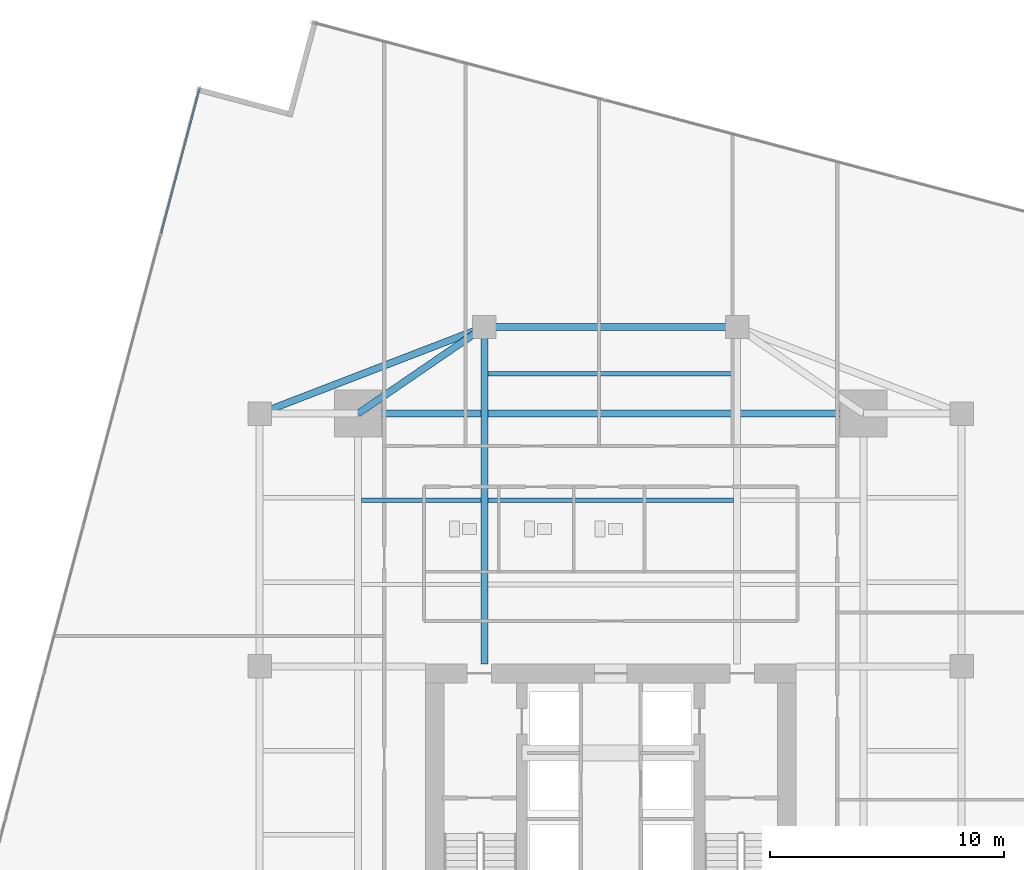
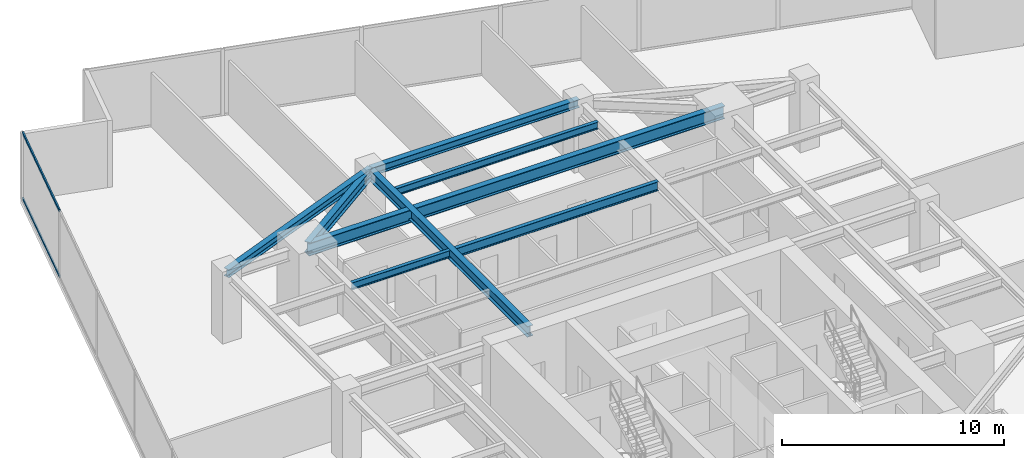
# One storey, part 16 of 27: 8 beams, 2 members, 1 element without a shape of its own.
"""IFC4 building model written with IfcOpenShell, lengths in metres."""

from ifc_helpers import new_model, si_unit, direction, frame, origin, origin_2d, place, context, subcontext, project, spatial, hollow_rectangle, i_section, extrude, source, transform, mapped, material, material_profile, profile_set, type_object, type_shapes, element, aggregate, save


model = new_model("IFC4")

# Units and contexts
model_context = context("Model", 3, precision=1e-05, world=origin(), true_north=direction((0.0, 1.0)))
body_context = subcontext(model_context, "Body", "Model", "MODEL_VIEW")
ifc_project = project(units=[si_unit("LENGTHUNIT", "METRE"), si_unit("AREAUNIT", "SQUARE_METRE"), si_unit("VOLUMEUNIT", "CUBIC_METRE"), si_unit("PLANEANGLEUNIT", "RADIAN"), si_unit("MASSUNIT", "GRAM", prefix="KILO")], contexts=[model_context])

# Site, building, storey
site_placement = place(None, origin())
site = spatial("IfcSite", under=ifc_project, at=site_placement, CompositionType="ELEMENT")
building_placement = place(site_placement, origin())
building = spatial("IfcBuilding", under=site, at=building_placement, Name="Krantzveldt Concourse Tower", CompositionType="ELEMENT")
storey_placement = place(building_placement, frame((0.0, 0.0, 101.89990234375)))
storey = spatial("IfcBuildingStorey", under=building, at=storey_placement, Name="L24", CompositionType="ELEMENT", Elevation=101.89990234375)

# Beams
ifc_material_1 = material(Name="Steel S355J2", Category="steel")
ifc_material_profile_1 = material_profile(ifc_material_1, i_section(OverallWidth=0.300048828125, OverallDepth=0.699951171875, WebThickness=0.01708984375, FlangeThickness=0.031982421875, FilletRadius=0.027099609375, at=origin_2d()), Name="Steel S355J2", Category="steel")
ifc_profile_set_1 = profile_set([ifc_material_profile_1], Name="Steel S355J2 - HEB 700")
beam_type_1 = type_object("IfcBeamType", Name="BM-B-HEB700", PredefinedType="BEAM", material=ifc_profile_set_1)
shared_shape_1 = source(origin(), body_context, "Body", "SweptSolid", [
    extrude(i_section(OverallWidth=0.300048828125, OverallDepth=0.699951171875, WebThickness=0.01708984375, FlangeThickness=0.031982421875, FilletRadius=0.027099609375, at=origin_2d()), origin(), (0.0, 0.0, 1.0), 21.60009765625),
])
type_shapes(beam_type_1, [shared_shape_1])
beam_1_placement = place(storey_placement, frame((25.199951171875, 37.5, 3.320068359375), z_axis=(1.0, 0.0, 0.0), x_axis=(0.0, 1.0, 0.0)))
element("IfcBeam", 1, at=beam_1_placement, inside=storey, type_object=beam_type_1, Name="L24 Tower Girder BG-MN", PredefinedType="BEAM", context=body_context, shape_type="MappedRepresentation", body=[
    mapped(shared_shape_1, transform((0.0, 0.0, 0.0), x_axis=(1.0, 0.0, 0.0), y_axis=(0.0, 1.0, 0.0), z_axis=(0.0, 0.0, 1.0), scale=1.0)),
])
ifc_material_2 = material(Name="Steel S355JR", Category="steel")
ifc_material_profile_2 = material_profile(ifc_material_2, i_section(OverallWidth=0.300048828125, OverallDepth=0.590087890625, WebThickness=0.012939453125, FlangeThickness=0.02490234375, FilletRadius=0.027099609375, at=origin_2d()), Name="Steel S355JR", Category="steel")
ifc_profile_set_2 = profile_set([ifc_material_profile_2], Name="Steel S355JR - HEA 600")
beam_type_2 = type_object("IfcBeamType", Name="BM-B-HEA600", PredefinedType="BEAM", material=ifc_profile_set_2)
shared_shape_2 = source(origin(), body_context, "Body", "SweptSolid", [
    extrude(i_section(OverallWidth=0.300048828125, OverallDepth=0.590087890625, WebThickness=0.012939453125, FlangeThickness=0.02490234375, FilletRadius=0.027099609375, at=origin_2d()), origin(), (0.0, 0.0, 1.0), 14.39990234375),
])
beam_2_placement = place(storey_placement, frame((30.60009765625, 26.800048828125, 3.375), z_axis=(0.0, 1.0, 0.0), x_axis=(-1.0, 0.0, 0.0)))
element("IfcBeam", 2, at=beam_2_placement, inside=storey, type_object=beam_type_2, Name="L24 Tower Girder BG-CNW", PredefinedType="BEAM", context=body_context, shape_type="MappedRepresentation", body=[
    mapped(shared_shape_2, transform((0.0, 0.0, 0.0), x_axis=(1.0, 0.0, 0.0), y_axis=(0.0, 1.0, 0.0), z_axis=(0.0, 0.0, 1.0), scale=1.0)),
])
ifc_material_profile_3 = material_profile(ifc_material_2, i_section(OverallWidth=0.300048828125, OverallDepth=0.43994140625, WebThickness=0.011474609375, FlangeThickness=0.02099609375, FilletRadius=0.027099609375, at=origin_2d()), Name="Steel S355JR", Category="steel")
ifc_profile_set_3 = profile_set([ifc_material_profile_3], Name="Steel S355JR - HEA 450")
beam_type_3 = type_object("IfcBeamType", Name="BM-SP-HEA450", PredefinedType="SPANDREL", material=ifc_profile_set_3)
shared_shape_3 = source(origin(), body_context, "Body", "SweptSolid", [
    extrude(i_section(OverallWidth=0.300048828125, OverallDepth=0.43994140625, WebThickness=0.011474609375, FlangeThickness=0.02099609375, FilletRadius=0.027099609375, at=origin_2d()), origin(), (0.0, 0.0, 1.0), 10.288330078125),
])
beam_3_placement = place(storey_placement, frame((21.0, 37.5, 3.4501953125), z_axis=(0.933097690408, 0.359622997257, 0.0), x_axis=(-0.359622997257, 0.933097690408, 0.0)))
element("IfcBeam", 3, at=beam_3_placement, inside=storey, type_object=beam_type_3, Name="L24 Tower Girder SP-R03", PredefinedType="SPANDREL", context=body_context, shape_type="MappedRepresentation", body=[
    mapped(shared_shape_3, transform((0.0, 0.0, 0.0), x_axis=(1.0, 0.0, 0.0), y_axis=(0.0, 1.0, 0.0), z_axis=(0.0, 0.0, 1.0), scale=1.0)),
])
shared_shape_4 = source(origin(), body_context, "Body", "SweptSolid", [
    extrude(i_section(OverallWidth=0.300048828125, OverallDepth=0.43994140625, WebThickness=0.011474609375, FlangeThickness=0.02099609375, FilletRadius=0.027099609375, at=origin_2d()), origin(), (0.0, 0.0, 1.0), 10.7998046875),
])
type_shapes(beam_type_3, [shared_shape_3, shared_shape_4])
beam_4_placement = place(storey_placement, frame((30.60009765625, 41.199951171875, 3.4501953125), z_axis=(1.0, 0.0, 0.0), x_axis=(0.0, 1.0, 0.0)))
element("IfcBeam", 4, at=beam_4_placement, inside=storey, type_object=beam_type_3, Name="L24 Tower Girder SP-R04", PredefinedType="SPANDREL", context=body_context, shape_type="MappedRepresentation", body=[
    mapped(shared_shape_4, transform((0.0, 0.0, 0.0), x_axis=(1.0, 0.0, 0.0), y_axis=(0.0, 1.0, 0.0), z_axis=(0.0, 0.0, 1.0), scale=1.0)),
])
shared_shape_5 = source(origin(), body_context, "Body", "SweptSolid", [
    extrude(i_section(OverallWidth=0.300048828125, OverallDepth=0.590087890625, WebThickness=0.012939453125, FlangeThickness=0.02490234375, FilletRadius=0.027099609375, at=origin_2d()), origin(), (0.0, 0.0, 1.0), 6.546142578125),
])
type_shapes(beam_type_2, [shared_shape_2, shared_shape_5])
beam_5_placement = place(storey_placement, frame((25.199951171875, 37.5, 3.375), z_axis=(0.824942999484, 0.565215930068, 0.0), x_axis=(-0.565215930068, 0.824942999484, 0.0)))
element("IfcBeam", 5, at=beam_5_placement, inside=storey, type_object=beam_type_2, Name="L24 Tower Girder BR-RL4", PredefinedType="BEAM", context=body_context, shape_type="MappedRepresentation", body=[
    mapped(shared_shape_5, transform((0.0, 0.0, 0.0), x_axis=(1.0, 0.0, 0.0), y_axis=(0.0, 1.0, 0.0), z_axis=(0.0, 0.0, 1.0), scale=1.0)),
])
ifc_material_profile_4 = material_profile(ifc_material_2, i_section(OverallWidth=0.199951171875, OverallDepth=0.5, WebThickness=0.01025390625, FlangeThickness=0.01611328125, FilletRadius=0.02099609375, at=origin_2d()), Name="Steel S355JR", Category="steel")
ifc_profile_set_4 = profile_set([ifc_material_profile_4], Name="Steel S355JR - IPE 500")
beam_type_4 = type_object("IfcBeamType", Name="BM-J-IPE500", PredefinedType="JOIST", material=ifc_profile_set_4)
shared_shape_6 = source(origin(), body_context, "Body", "SweptSolid", [
    extrude(i_section(OverallWidth=0.199951171875, OverallDepth=0.5, WebThickness=0.01025390625, FlangeThickness=0.01611328125, FilletRadius=0.02099609375, at=origin_2d()), origin(), (0.0, 0.0, 1.0), 10.5),
])
type_shapes(beam_type_4, [shared_shape_6])
beam_6_placement = place(storey_placement, frame((30.75, 33.800048828125, 3.420166015625), z_axis=(1.0, 0.0, 0.0), x_axis=(0.0, 1.0, 0.0)))
element("IfcBeam", 6, at=beam_6_placement, inside=storey, type_object=beam_type_4, Name="L24 Secondary Floor Joist JN-C2", PredefinedType="JOIST", context=body_context, shape_type="MappedRepresentation", body=[
    mapped(shared_shape_6, transform((0.0, 0.0, 0.0), x_axis=(1.0, 0.0, 0.0), y_axis=(0.0, 1.0, 0.0), z_axis=(0.0, 0.0, 1.0), scale=1.0)),
])
ifc_material_profile_5 = material_profile(ifc_material_2, i_section(OverallWidth=0.179931640625, OverallDepth=0.39990234375, WebThickness=0.008544921875, FlangeThickness=0.013427734375, FilletRadius=0.02099609375, at=origin_2d()), Name="Steel S355JR", Category="steel")
ifc_profile_set_5 = profile_set([ifc_material_profile_5], Name="Steel S355JR - IPE 400")
beam_type_5 = type_object("IfcBeamType", Name="BM-J-IPE400", PredefinedType="JOIST", material=ifc_profile_set_5)
shared_shape_7 = source(origin(), body_context, "Body", "SweptSolid", [
    extrude(i_section(OverallWidth=0.179931640625, OverallDepth=0.39990234375, WebThickness=0.008544921875, FlangeThickness=0.013427734375, FilletRadius=0.02099609375, at=origin_2d()), origin(), (0.0, 0.0, 1.0), 10.5),
])
beam_7_placement = place(storey_placement, frame((30.75, 39.199951171875, 3.47021484375), z_axis=(1.0, 0.0, 0.0), x_axis=(0.0, 1.0, 0.0)))
element("IfcBeam", 7, at=beam_7_placement, inside=storey, type_object=beam_type_5, Name="L24 Secondary Floor Joist JN-C3", PredefinedType="JOIST", context=body_context, shape_type="MappedRepresentation", body=[
    mapped(shared_shape_7, transform((0.0, 0.0, 0.0), x_axis=(1.0, 0.0, 0.0), y_axis=(0.0, 1.0, 0.0), z_axis=(0.0, 0.0, 1.0), scale=1.0)),
])
shared_shape_8 = source(origin(), body_context, "Body", "SweptSolid", [
    extrude(i_section(OverallWidth=0.179931640625, OverallDepth=0.39990234375, WebThickness=0.008544921875, FlangeThickness=0.013427734375, FilletRadius=0.02099609375, at=origin_2d()), origin(), (0.0, 0.0, 1.0), 5.099853515625),
])
type_shapes(beam_type_5, [shared_shape_7, shared_shape_8])
beam_8_placement = place(storey_placement, frame((25.35009765625, 33.800048828125, 3.47021484375), z_axis=(1.0, 0.0, 0.0), x_axis=(0.0, 1.0, 0.0)))
element("IfcBeam", 8, at=beam_8_placement, inside=storey, type_object=beam_type_5, Name="L24 Secondary Floor Joist JN-W2", PredefinedType="JOIST", context=body_context, shape_type="MappedRepresentation", body=[
    mapped(shared_shape_8, transform((0.0, 0.0, 0.0), x_axis=(1.0, 0.0, 0.0), y_axis=(0.0, 1.0, 0.0), z_axis=(0.0, 0.0, 1.0), scale=1.0)),
])

# Curtain wall, members
ifc_material_3 = material(Name="Anodised aluminium 6063-T6", Category="aluminium")
curtain_wall_type = type_object("IfcCurtainWallType", Name="CW2", PredefinedType="USERDEFINED", material=ifc_material_3)
curtain_wall_placement = place(storey_placement, origin())
curtain_wall = element("IfcCurtainWall", 9, at=curtain_wall_placement, inside=storey, type_object=curtain_wall_type, Name="CW-L24-F01", ObjectType="UNITISED CURTAIN WALL", PredefinedType="USERDEFINED")
ifc_material_profile_6 = material_profile(ifc_material_3, hollow_rectangle(XDim=0.070068359375, YDim=0.139892578125, WallThickness=0.0048828125, at=origin_2d()), Name="Anodised aluminium 6063-T6", Category="aluminium")
ifc_profile_set_6 = profile_set([ifc_material_profile_6], Name="Anodised aluminium 6063-T6 - ALU-TRAN 140x70x5")
member_type = type_object("IfcMemberType", Name="CW-TRN-150", PredefinedType="USERDEFINED", material=ifc_profile_set_6)
shared_shape_9 = source(origin(), body_context, "Body", "SweptSolid", [
    extrude(hollow_rectangle(XDim=0.070068359375, YDim=0.139892578125, WallThickness=0.0048828125, at=origin_2d()), origin(), (0.0, 0.0, 1.0), 6.361572265625),
])
type_shapes(member_type, [shared_shape_9])
member_1_placement = place(storey_placement, frame((18.433349609375, 51.3662109375, 0.03515625), z_axis=(-0.256704687877, -0.966489887801, 0.0), x_axis=(0.966489887801, -0.256704687877, 0.0)))
member_1 = element("IfcMember", 10, at=member_1_placement, type_object=member_type, Name="CW-Z12 transom 1.1", ObjectType="TRANSOM", PredefinedType="USERDEFINED", context=body_context, shape_type="MappedRepresentation", body=[
    mapped(shared_shape_9, transform((0.0, 0.0, 0.0), x_axis=(1.0, 0.0, 0.0), y_axis=(0.0, 1.0, 0.0), z_axis=(0.0, 0.0, 1.0), scale=1.0)),
])
member_2_placement = place(storey_placement, frame((18.433349609375, 51.3662109375, 3.635009765625), z_axis=(-0.256704687877, -0.966489887801, 0.0), x_axis=(0.966489887801, -0.256704687877, 0.0)))
member_2 = element("IfcMember", 11, at=member_2_placement, type_object=member_type, Name="CW-Z12 transom 1.2", ObjectType="TRANSOM", PredefinedType="USERDEFINED", context=body_context, shape_type="MappedRepresentation", body=[
    mapped(shared_shape_9, transform((0.0, 0.0, 0.0), x_axis=(1.0, 0.0, 0.0), y_axis=(0.0, 1.0, 0.0), z_axis=(0.0, 0.0, 1.0), scale=1.0)),
])
aggregate(curtain_wall, [member_1, member_2])

save(model, "model.ifc")
